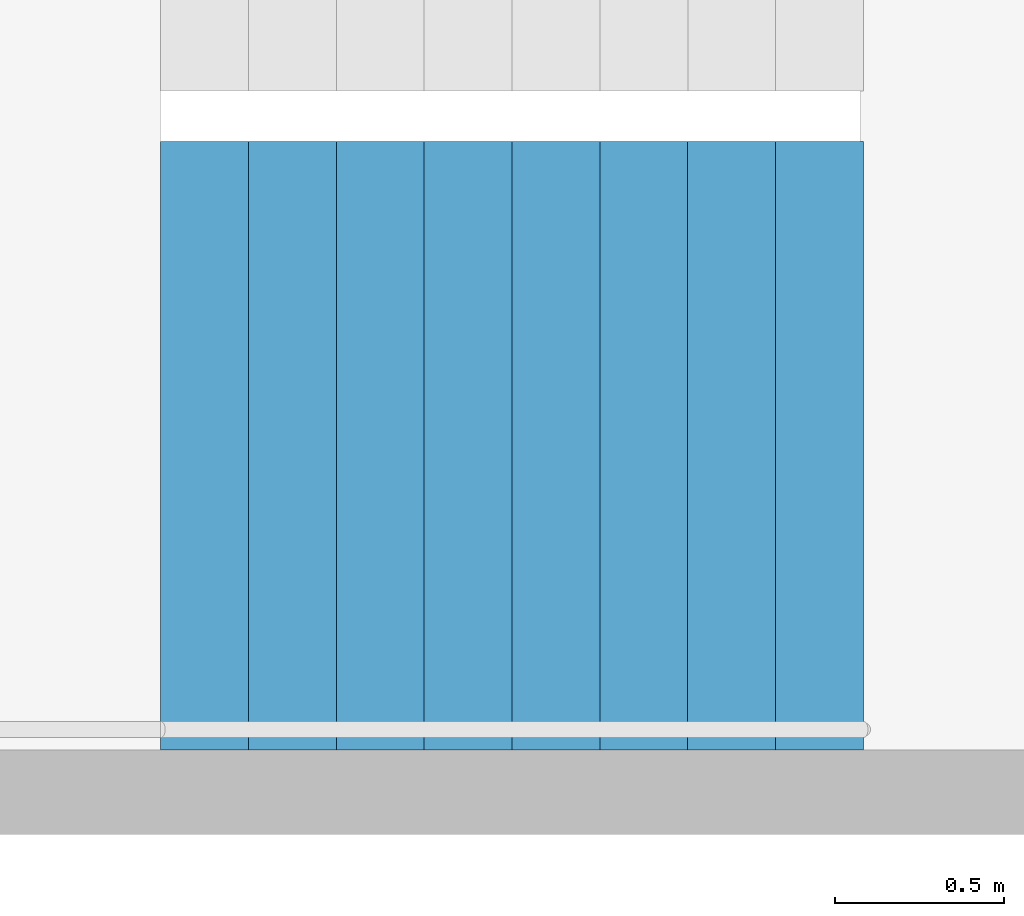
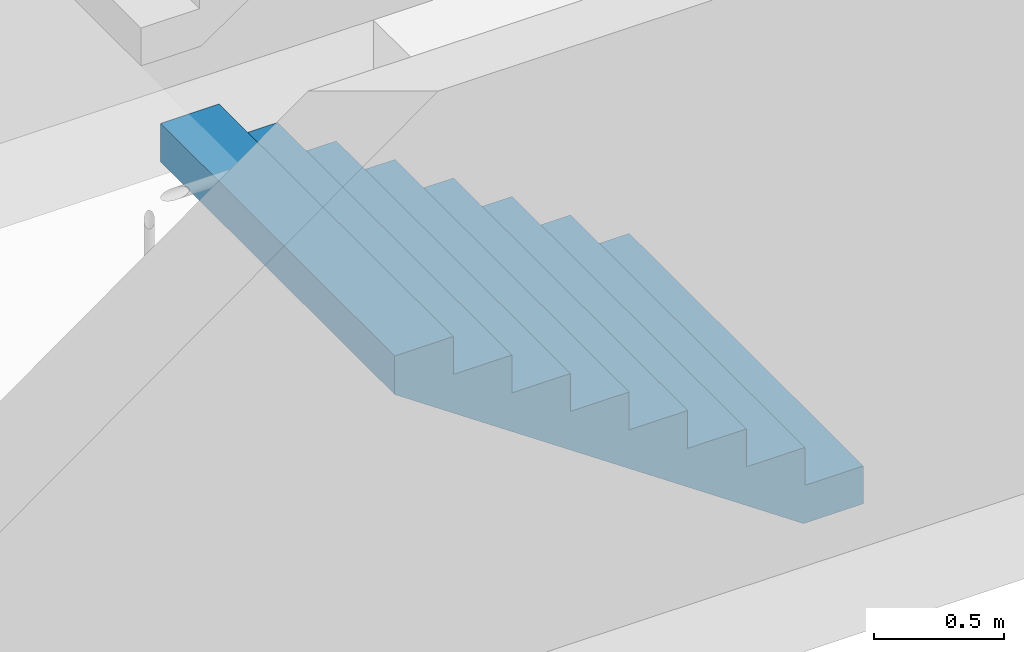
# One storey, part 27 of 29: 1 stair flight, 1 element without a shape of its own.
"""IFC4 building model written with IfcOpenShell, lengths in metres."""

from ifc_helpers import new_model, si_unit, direction, frame, origin, place, context, subcontext, project, spatial, triangles, material, type_object, element, aggregate, save


model = new_model("IFC4")

# Units and contexts
model_context = context("Model", 3, precision=1e-05, world=origin(), true_north=direction((0.0, 1.0)))
body_context = subcontext(model_context, "Body", "Model", "MODEL_VIEW")
ifc_project = project(units=[si_unit("LENGTHUNIT", "METRE"), si_unit("AREAUNIT", "SQUARE_METRE"), si_unit("VOLUMEUNIT", "CUBIC_METRE"), si_unit("PLANEANGLEUNIT", "RADIAN"), si_unit("MASSUNIT", "GRAM", prefix="KILO")], contexts=[model_context])

# Site, building, storey
site_placement = place(None, origin())
site = spatial("IfcSite", under=ifc_project, at=site_placement, CompositionType="ELEMENT")
building_placement = place(site_placement, origin())
building = spatial("IfcBuilding", under=site, at=building_placement, Name="Hakoniwa Tower and Hamabe Station Hall", CompositionType="ELEMENT")
storey_placement = place(building_placement, frame((0.0, 0.0, 88.199951171875)))
storey = spatial("IfcBuildingStorey", under=building, at=storey_placement, Name="L24", CompositionType="ELEMENT", Elevation=88.199951171875)

# Stair, stair flight
ifc_material_1 = material(Name="Concrete C40", Category="concrete")
stair_type = type_object("IfcStairType", Name="ESCAPE STAIR 1800", PredefinedType="HALF_TURN_STAIR", material=ifc_material_1)
stair_placement = place(storey_placement, origin())
stair = element("IfcStair", 1, at=stair_placement, inside=storey, type_object=stair_type, Name="Escape stair ST-3 L24", PredefinedType="HALF_TURN_STAIR")
ifc_material_2 = material(Name="Concrete C40", Category="concrete")
stair_flight_type = type_object("IfcStairFlightType", Name="STAIR FLIGHT 1800", PredefinedType="STRAIGHT", material=ifc_material_2)
stair_flight_placement = place(storey_placement, frame((24.39990234375, 4.64990234375, 0.0), z_axis=(0.0, 0.0, 1.0), x_axis=(-1.0, 0.0, 0.0)))
stair_flight = element("IfcStairFlight", 2, at=stair_flight_placement, type_object=stair_flight_type, Name="ST-3 flight 1", NumberOfRisers=9, NumberOfTreads=8, PredefinedType="STRAIGHT", RiserHeight=0.177777778, TreadLength=0.26, context=body_context, shape_type="Tessellation", body=[
    triangles([(0.0, 0.89990234375, 0.0), (0.260009765625, 0.89990234375, 0.0), (0.265625, 0.89990234375, 0.0), (0.52001953125, 0.89990234375, 0.174072265625), (0.780029296875, 0.89990234375, 0.351806640625), (1.0400390625, 0.89990234375, 0.529541015625), (1.300048828125, 0.89990234375, 0.707275390625), (1.56005859375, 0.89990234375, 0.885009765625), (1.820068359375, 0.89990234375, 1.062744140625), (2.080078125, 0.89990234375, 1.24072265625), (2.080078125, 0.89990234375, 1.422119140625), (1.820068359375, 0.89990234375, 1.422119140625), (1.820068359375, 0.89990234375, 1.244384765625), (1.56005859375, 0.89990234375, 1.244384765625), (1.56005859375, 0.89990234375, 1.066650390625), (1.300048828125, 0.89990234375, 1.066650390625), (1.300048828125, 0.89990234375, 0.888916015625), (1.0400390625, 0.89990234375, 0.888916015625), (1.0400390625, 0.89990234375, 0.711181640625), (0.780029296875, 0.89990234375, 0.711181640625), (0.780029296875, 0.89990234375, 0.533447265625), (0.52001953125, 0.89990234375, 0.533447265625), (0.52001953125, 0.89990234375, 0.35546875), (0.265625, 0.89990234375, 0.35546875), (0.260009765625, 0.89990234375, 0.35546875), (0.260009765625, 0.89990234375, 0.177734375), (0.0, 0.89990234375, 0.177734375), (0.0, 0.06005859375, 0.0), (0.260009765625, 0.06005859375, 0.0), (0.265625, 0.06005859375, 0.0), (0.52001953125, 0.06005859375, 0.174072265625), (0.780029296875, 0.06005859375, 0.351806640625), (1.0400390625, 0.06005859375, 0.529541015625), (1.300048828125, 0.06005859375, 0.707275390625), (1.56005859375, 0.06005859375, 0.885009765625), (1.820068359375, 0.06005859375, 1.062744140625), (2.080078125, 0.06005859375, 1.24072265625), (2.080078125, 0.06005859375, 1.422119140625), (1.820068359375, 0.06005859375, 1.422119140625), (1.820068359375, 0.06005859375, 1.244384765625), (1.56005859375, 0.06005859375, 1.244384765625), (1.56005859375, 0.06005859375, 1.066650390625), (1.300048828125, 0.06005859375, 1.066650390625), (1.300048828125, 0.06005859375, 0.888916015625), (1.0400390625, 0.06005859375, 0.888916015625), (1.0400390625, 0.06005859375, 0.711181640625), (0.780029296875, 0.06005859375, 0.711181640625), (0.780029296875, 0.06005859375, 0.533447265625), (0.52001953125, 0.06005859375, 0.533447265625), (0.52001953125, 0.06005859375, 0.35546875), (0.265625, 0.06005859375, 0.35546875), (0.260009765625, 0.06005859375, 0.35546875), (0.260009765625, 0.06005859375, 0.177734375), (0.0, 0.06005859375, 0.177734375), (0.0, 0.04296875, 0.0), (0.260009765625, 0.04296875, 0.0), (0.265625, 0.04296875, 0.0), (0.52001953125, 0.04296875, 0.174072265625), (0.780029296875, 0.04296875, 0.351806640625), (1.0400390625, 0.04296875, 0.529541015625), (1.300048828125, 0.04296875, 0.707275390625), (1.56005859375, 0.04296875, 0.885009765625), (1.820068359375, 0.04296875, 1.062744140625), (2.080078125, 0.04296875, 1.24072265625), (2.080078125, 0.04296875, 1.422119140625), (1.820068359375, 0.04296875, 1.422119140625), (1.820068359375, 0.04296875, 1.244384765625), (1.56005859375, 0.04296875, 1.244384765625), (1.56005859375, 0.04296875, 1.066650390625), (1.300048828125, 0.04296875, 1.066650390625), (1.300048828125, 0.04296875, 0.888916015625), (1.0400390625, 0.04296875, 0.888916015625), (1.0400390625, 0.04296875, 0.711181640625), (0.780029296875, 0.04296875, 0.711181640625), (0.780029296875, 0.04296875, 0.533447265625), (0.52001953125, 0.04296875, 0.533447265625), (0.52001953125, 0.04296875, 0.35546875), (0.265625, 0.04296875, 0.35546875), (0.260009765625, 0.04296875, 0.35546875), (0.260009765625, 0.04296875, 0.177734375), (0.0, 0.04296875, 0.177734375), (0.0, 0.025634765625, 0.0), (0.260009765625, 0.025634765625, 0.0), (0.265625, 0.025634765625, 0.0), (0.52001953125, 0.025634765625, 0.174072265625), (0.780029296875, 0.025634765625, 0.351806640625), (1.0400390625, 0.025634765625, 0.529541015625), (1.300048828125, 0.025634765625, 0.707275390625), (1.56005859375, 0.025634765625, 0.885009765625), (1.820068359375, 0.025634765625, 1.062744140625), (2.080078125, 0.025634765625, 1.24072265625), (2.080078125, 0.025634765625, 1.422119140625), (1.820068359375, 0.025634765625, 1.422119140625), (1.820068359375, 0.025634765625, 1.244384765625), (1.56005859375, 0.025634765625, 1.244384765625), (1.56005859375, 0.025634765625, 1.066650390625), (1.300048828125, 0.025634765625, 1.066650390625), (1.300048828125, 0.025634765625, 0.888916015625), (1.0400390625, 0.025634765625, 0.888916015625), (1.0400390625, 0.025634765625, 0.711181640625), (0.780029296875, 0.025634765625, 0.711181640625), (0.780029296875, 0.025634765625, 0.533447265625), (0.52001953125, 0.025634765625, 0.533447265625), (0.52001953125, 0.025634765625, 0.35546875), (0.265625, 0.025634765625, 0.35546875), (0.260009765625, 0.025634765625, 0.35546875), (0.260009765625, 0.025634765625, 0.177734375), (0.0, 0.025634765625, 0.177734375), (0.0, 0.008544921875, 0.0), (0.260009765625, 0.008544921875, 0.0), (0.265625, 0.008544921875, 0.0), (0.52001953125, 0.008544921875, 0.174072265625), (0.780029296875, 0.008544921875, 0.351806640625), (1.0400390625, 0.008544921875, 0.529541015625), (1.300048828125, 0.008544921875, 0.707275390625), (1.56005859375, 0.008544921875, 0.885009765625), (1.820068359375, 0.008544921875, 1.062744140625), (2.080078125, 0.008544921875, 1.24072265625), (2.080078125, 0.008544921875, 1.422119140625), (1.820068359375, 0.008544921875, 1.422119140625), (1.820068359375, 0.008544921875, 1.244384765625), (1.56005859375, 0.008544921875, 1.244384765625), (1.56005859375, 0.008544921875, 1.066650390625), (1.300048828125, 0.008544921875, 1.066650390625), (1.300048828125, 0.008544921875, 0.888916015625), (1.0400390625, 0.008544921875, 0.888916015625), (1.0400390625, 0.008544921875, 0.711181640625), (0.780029296875, 0.008544921875, 0.711181640625), (0.780029296875, 0.008544921875, 0.533447265625), (0.52001953125, 0.008544921875, 0.533447265625), (0.52001953125, 0.008544921875, 0.35546875), (0.265625, 0.008544921875, 0.35546875), (0.260009765625, 0.008544921875, 0.35546875), (0.260009765625, 0.008544921875, 0.177734375), (0.0, 0.008544921875, 0.177734375), (0.0, -0.008544921875, 0.0), (0.260009765625, -0.008544921875, 0.0), (0.265625, -0.008544921875, 0.0), (0.52001953125, -0.008544921875, 0.174072265625), (0.780029296875, -0.008544921875, 0.351806640625), (1.0400390625, -0.008544921875, 0.529541015625), (1.300048828125, -0.008544921875, 0.707275390625), (1.56005859375, -0.008544921875, 0.885009765625), (1.820068359375, -0.008544921875, 1.062744140625), (2.080078125, -0.008544921875, 1.24072265625), (2.080078125, -0.008544921875, 1.422119140625), (1.820068359375, -0.008544921875, 1.422119140625), (1.820068359375, -0.008544921875, 1.244384765625), (1.56005859375, -0.008544921875, 1.244384765625), (1.56005859375, -0.008544921875, 1.066650390625), (1.300048828125, -0.008544921875, 1.066650390625), (1.300048828125, -0.008544921875, 0.888916015625), (1.0400390625, -0.008544921875, 0.888916015625), (1.0400390625, -0.008544921875, 0.711181640625), (0.780029296875, -0.008544921875, 0.711181640625), (0.780029296875, -0.008544921875, 0.533447265625), (0.52001953125, -0.008544921875, 0.533447265625), (0.52001953125, -0.008544921875, 0.35546875), (0.265625, -0.008544921875, 0.35546875), (0.260009765625, -0.008544921875, 0.35546875), (0.260009765625, -0.008544921875, 0.177734375), (0.0, -0.008544921875, 0.177734375), (0.0, -0.025634765625, 0.0), (0.260009765625, -0.025634765625, 0.0), (0.265625, -0.025634765625, 0.0), (0.52001953125, -0.025634765625, 0.174072265625), (0.780029296875, -0.025634765625, 0.351806640625), (1.0400390625, -0.025634765625, 0.529541015625), (1.300048828125, -0.025634765625, 0.707275390625), (1.56005859375, -0.025634765625, 0.885009765625), (1.820068359375, -0.025634765625, 1.062744140625), (2.080078125, -0.025634765625, 1.24072265625), (2.080078125, -0.025634765625, 1.422119140625), (1.820068359375, -0.025634765625, 1.422119140625), (1.820068359375, -0.025634765625, 1.244384765625), (1.56005859375, -0.025634765625, 1.244384765625), (1.56005859375, -0.025634765625, 1.066650390625), (1.300048828125, -0.025634765625, 1.066650390625), (1.300048828125, -0.025634765625, 0.888916015625), (1.0400390625, -0.025634765625, 0.888916015625), (1.0400390625, -0.025634765625, 0.711181640625), (0.780029296875, -0.025634765625, 0.711181640625), (0.780029296875, -0.025634765625, 0.533447265625), (0.52001953125, -0.025634765625, 0.533447265625), (0.52001953125, -0.025634765625, 0.35546875), (0.265625, -0.025634765625, 0.35546875), (0.260009765625, -0.025634765625, 0.35546875), (0.260009765625, -0.025634765625, 0.177734375), (0.0, -0.025634765625, 0.177734375), (0.0, -0.04296875, 0.0), (0.260009765625, -0.04296875, 0.0), (0.265625, -0.04296875, 0.0), (0.52001953125, -0.04296875, 0.174072265625), (0.780029296875, -0.04296875, 0.351806640625), (1.0400390625, -0.04296875, 0.529541015625), (1.300048828125, -0.04296875, 0.707275390625), (1.56005859375, -0.04296875, 0.885009765625), (1.820068359375, -0.04296875, 1.062744140625), (2.080078125, -0.04296875, 1.24072265625), (2.080078125, -0.04296875, 1.422119140625), (1.820068359375, -0.04296875, 1.422119140625), (1.820068359375, -0.04296875, 1.244384765625), (1.56005859375, -0.04296875, 1.244384765625), (1.56005859375, -0.04296875, 1.066650390625), (1.300048828125, -0.04296875, 1.066650390625), (1.300048828125, -0.04296875, 0.888916015625), (1.0400390625, -0.04296875, 0.888916015625), (1.0400390625, -0.04296875, 0.711181640625), (0.780029296875, -0.04296875, 0.711181640625), (0.780029296875, -0.04296875, 0.533447265625), (0.52001953125, -0.04296875, 0.533447265625), (0.52001953125, -0.04296875, 0.35546875), (0.265625, -0.04296875, 0.35546875), (0.260009765625, -0.04296875, 0.35546875), (0.260009765625, -0.04296875, 0.177734375), (0.0, -0.04296875, 0.177734375), (0.0, -0.06005859375, 0.0), (0.260009765625, -0.06005859375, 0.0), (0.265625, -0.06005859375, 0.0), (0.52001953125, -0.06005859375, 0.174072265625), (0.780029296875, -0.06005859375, 0.351806640625), (1.0400390625, -0.06005859375, 0.529541015625), (1.300048828125, -0.06005859375, 0.707275390625), (1.56005859375, -0.06005859375, 0.885009765625), (1.820068359375, -0.06005859375, 1.062744140625), (2.080078125, -0.06005859375, 1.24072265625), (2.080078125, -0.06005859375, 1.422119140625), (1.820068359375, -0.06005859375, 1.422119140625), (1.820068359375, -0.06005859375, 1.244384765625), (1.56005859375, -0.06005859375, 1.244384765625), (1.56005859375, -0.06005859375, 1.066650390625), (1.300048828125, -0.06005859375, 1.066650390625), (1.300048828125, -0.06005859375, 0.888916015625), (1.0400390625, -0.06005859375, 0.888916015625), (1.0400390625, -0.06005859375, 0.711181640625), (0.780029296875, -0.06005859375, 0.711181640625), (0.780029296875, -0.06005859375, 0.533447265625), (0.52001953125, -0.06005859375, 0.533447265625), (0.52001953125, -0.06005859375, 0.35546875), (0.265625, -0.06005859375, 0.35546875), (0.260009765625, -0.06005859375, 0.35546875), (0.260009765625, -0.06005859375, 0.177734375), (0.0, -0.06005859375, 0.177734375), (0.0, -0.89990234375, 0.0), (0.260009765625, -0.89990234375, 0.0), (0.265625, -0.89990234375, 0.0), (0.52001953125, -0.89990234375, 0.174072265625), (0.780029296875, -0.89990234375, 0.351806640625), (1.0400390625, -0.89990234375, 0.529541015625), (1.300048828125, -0.89990234375, 0.707275390625), (1.56005859375, -0.89990234375, 0.885009765625), (1.820068359375, -0.89990234375, 1.062744140625), (2.080078125, -0.89990234375, 1.24072265625), (2.080078125, -0.89990234375, 1.422119140625), (1.820068359375, -0.89990234375, 1.422119140625), (1.820068359375, -0.89990234375, 1.244384765625), (1.56005859375, -0.89990234375, 1.244384765625), (1.56005859375, -0.89990234375, 1.066650390625), (1.300048828125, -0.89990234375, 1.066650390625), (1.300048828125, -0.89990234375, 0.888916015625), (1.0400390625, -0.89990234375, 0.888916015625), (1.0400390625, -0.89990234375, 0.711181640625), (0.780029296875, -0.89990234375, 0.711181640625), (0.780029296875, -0.89990234375, 0.533447265625), (0.52001953125, -0.89990234375, 0.533447265625), (0.52001953125, -0.89990234375, 0.35546875), (0.265625, -0.89990234375, 0.35546875), (0.260009765625, -0.89990234375, 0.35546875), (0.260009765625, -0.89990234375, 0.177734375), (0.0, -0.89990234375, 0.177734375)], [[2, 27, 26], [245, 269, 270], [2, 1, 27], [245, 270, 244], [3, 25, 24], [246, 267, 268], [3, 26, 25], [246, 268, 269], [3, 2, 26], [246, 269, 245], [4, 24, 23], [247, 266, 267], [4, 3, 24], [247, 267, 246], [5, 22, 21], [248, 264, 265], [5, 23, 22], [248, 265, 266], [5, 4, 23], [248, 266, 247], [6, 20, 19], [249, 262, 263], [6, 21, 20], [249, 263, 264], [6, 5, 21], [249, 264, 248], [7, 18, 17], [250, 260, 261], [7, 19, 18], [250, 261, 262], [7, 6, 19], [250, 262, 249], [8, 16, 15], [251, 258, 259], [8, 17, 16], [251, 259, 260], [8, 7, 17], [251, 260, 250], [9, 14, 13], [252, 256, 257], [9, 15, 14], [252, 257, 258], [9, 8, 15], [252, 258, 251], [10, 12, 11], [253, 254, 255], [10, 13, 12], [253, 255, 256], [10, 9, 13], [253, 256, 252], [1, 2, 29], [1, 29, 28], [28, 29, 56], [28, 56, 55], [55, 56, 83], [55, 83, 82], [82, 83, 110], [82, 110, 109], [109, 110, 137], [109, 137, 136], [136, 137, 164], [136, 164, 163], [163, 164, 191], [163, 191, 190], [190, 191, 218], [190, 218, 217], [217, 218, 245], [217, 245, 244], [2, 3, 30], [2, 30, 29], [29, 30, 57], [29, 57, 56], [56, 57, 84], [56, 84, 83], [83, 84, 111], [83, 111, 110], [110, 111, 138], [110, 138, 137], [137, 138, 165], [137, 165, 164], [164, 165, 192], [164, 192, 191], [191, 192, 219], [191, 219, 218], [218, 219, 246], [218, 246, 245], [3, 4, 31], [3, 31, 30], [30, 31, 58], [30, 58, 57], [57, 58, 85], [57, 85, 84], [84, 85, 112], [84, 112, 111], [111, 112, 139], [111, 139, 138], [138, 139, 166], [138, 166, 165], [165, 166, 193], [165, 193, 192], [192, 193, 220], [192, 220, 219], [219, 220, 247], [219, 247, 246], [4, 5, 32], [4, 32, 31], [31, 32, 59], [31, 59, 58], [58, 59, 86], [58, 86, 85], [85, 86, 113], [85, 113, 112], [112, 113, 140], [112, 140, 139], [139, 140, 167], [139, 167, 166], [166, 167, 194], [166, 194, 193], [193, 194, 221], [193, 221, 220], [220, 221, 248], [220, 248, 247], [5, 6, 33], [5, 33, 32], [32, 33, 60], [32, 60, 59], [59, 60, 87], [59, 87, 86], [86, 87, 114], [86, 114, 113], [113, 114, 141], [113, 141, 140], [140, 141, 168], [140, 168, 167], [167, 168, 195], [167, 195, 194], [194, 195, 222], [194, 222, 221], [221, 222, 249], [221, 249, 248], [6, 7, 34], [6, 34, 33], [33, 34, 61], [33, 61, 60], [60, 61, 88], [60, 88, 87], [87, 88, 115], [87, 115, 114], [114, 115, 142], [114, 142, 141], [141, 142, 169], [141, 169, 168], [168, 169, 196], [168, 196, 195], [195, 196, 223], [195, 223, 222], [222, 223, 250], [222, 250, 249], [7, 8, 35], [7, 35, 34], [34, 35, 62], [34, 62, 61], [61, 62, 89], [61, 89, 88], [88, 89, 116], [88, 116, 115], [115, 116, 143], [115, 143, 142], [142, 143, 170], [142, 170, 169], [169, 170, 197], [169, 197, 196], [196, 197, 224], [196, 224, 223], [223, 224, 251], [223, 251, 250], [8, 9, 36], [8, 36, 35], [35, 36, 63], [35, 63, 62], [62, 63, 90], [62, 90, 89], [89, 90, 117], [89, 117, 116], [116, 117, 144], [116, 144, 143], [143, 144, 171], [143, 171, 170], [170, 171, 198], [170, 198, 197], [197, 198, 225], [197, 225, 224], [224, 225, 252], [224, 252, 251], [9, 10, 37], [9, 37, 36], [36, 37, 64], [36, 64, 63], [63, 64, 91], [63, 91, 90], [90, 91, 118], [90, 118, 117], [117, 118, 145], [117, 145, 144], [144, 145, 172], [144, 172, 171], [171, 172, 199], [171, 199, 198], [198, 199, 226], [198, 226, 225], [225, 226, 253], [225, 253, 252], [10, 11, 38], [10, 38, 37], [37, 38, 65], [37, 65, 64], [64, 65, 92], [64, 92, 91], [91, 92, 119], [91, 119, 118], [118, 119, 146], [118, 146, 145], [145, 146, 173], [145, 173, 172], [172, 173, 200], [172, 200, 199], [199, 200, 227], [199, 227, 226], [226, 227, 254], [226, 254, 253], [11, 12, 39], [11, 39, 38], [38, 39, 66], [38, 66, 65], [65, 66, 93], [65, 93, 92], [92, 93, 120], [92, 120, 119], [119, 120, 147], [119, 147, 146], [146, 147, 174], [146, 174, 173], [173, 174, 201], [173, 201, 200], [200, 201, 228], [200, 228, 227], [227, 228, 255], [227, 255, 254], [12, 13, 40], [12, 40, 39], [39, 40, 67], [39, 67, 66], [66, 67, 94], [66, 94, 93], [93, 94, 121], [93, 121, 120], [120, 121, 148], [120, 148, 147], [147, 148, 175], [147, 175, 174], [174, 175, 202], [174, 202, 201], [201, 202, 229], [201, 229, 228], [228, 229, 256], [228, 256, 255], [13, 14, 41], [13, 41, 40], [40, 41, 68], [40, 68, 67], [67, 68, 95], [67, 95, 94], [94, 95, 122], [94, 122, 121], [121, 122, 149], [121, 149, 148], [148, 149, 176], [148, 176, 175], [175, 176, 203], [175, 203, 202], [202, 203, 230], [202, 230, 229], [229, 230, 257], [229, 257, 256], [14, 15, 42], [14, 42, 41], [41, 42, 69], [41, 69, 68], [68, 69, 96], [68, 96, 95], [95, 96, 123], [95, 123, 122], [122, 123, 150], [122, 150, 149], [149, 150, 177], [149, 177, 176], [176, 177, 204], [176, 204, 203], [203, 204, 231], [203, 231, 230], [230, 231, 258], [230, 258, 257], [15, 16, 43], [15, 43, 42], [42, 43, 70], [42, 70, 69], [69, 70, 97], [69, 97, 96], [96, 97, 124], [96, 124, 123], [123, 124, 151], [123, 151, 150], [150, 151, 178], [150, 178, 177], [177, 178, 205], [177, 205, 204], [204, 205, 232], [204, 232, 231], [231, 232, 259], [231, 259, 258], [16, 17, 44], [16, 44, 43], [43, 44, 71], [43, 71, 70], [70, 71, 98], [70, 98, 97], [97, 98, 125], [97, 125, 124], [124, 125, 152], [124, 152, 151], [151, 152, 179], [151, 179, 178], [178, 179, 206], [178, 206, 205], [205, 206, 233], [205, 233, 232], [232, 233, 260], [232, 260, 259], [17, 18, 45], [17, 45, 44], [44, 45, 72], [44, 72, 71], [71, 72, 99], [71, 99, 98], [98, 99, 126], [98, 126, 125], [125, 126, 153], [125, 153, 152], [152, 153, 180], [152, 180, 179], [179, 180, 207], [179, 207, 206], [206, 207, 234], [206, 234, 233], [233, 234, 261], [233, 261, 260], [18, 19, 46], [18, 46, 45], [45, 46, 73], [45, 73, 72], [72, 73, 100], [72, 100, 99], [99, 100, 127], [99, 127, 126], [126, 127, 154], [126, 154, 153], [153, 154, 181], [153, 181, 180], [180, 181, 208], [180, 208, 207], [207, 208, 235], [207, 235, 234], [234, 235, 262], [234, 262, 261], [19, 20, 47], [19, 47, 46], [46, 47, 74], [46, 74, 73], [73, 74, 101], [73, 101, 100], [100, 101, 128], [100, 128, 127], [127, 128, 155], [127, 155, 154], [154, 155, 182], [154, 182, 181], [181, 182, 209], [181, 209, 208], [208, 209, 236], [208, 236, 235], [235, 236, 263], [235, 263, 262], [20, 21, 48], [20, 48, 47], [47, 48, 75], [47, 75, 74], [74, 75, 102], [74, 102, 101], [101, 102, 129], [101, 129, 128], [128, 129, 156], [128, 156, 155], [155, 156, 183], [155, 183, 182], [182, 183, 210], [182, 210, 209], [209, 210, 237], [209, 237, 236], [236, 237, 264], [236, 264, 263], [21, 22, 49], [21, 49, 48], [48, 49, 76], [48, 76, 75], [75, 76, 103], [75, 103, 102], [102, 103, 130], [102, 130, 129], [129, 130, 157], [129, 157, 156], [156, 157, 184], [156, 184, 183], [183, 184, 211], [183, 211, 210], [210, 211, 238], [210, 238, 237], [237, 238, 265], [237, 265, 264], [22, 23, 50], [22, 50, 49], [49, 50, 77], [49, 77, 76], [76, 77, 104], [76, 104, 103], [103, 104, 131], [103, 131, 130], [130, 131, 158], [130, 158, 157], [157, 158, 185], [157, 185, 184], [184, 185, 212], [184, 212, 211], [211, 212, 239], [211, 239, 238], [238, 239, 266], [238, 266, 265], [23, 24, 51], [23, 51, 50], [50, 51, 78], [50, 78, 77], [77, 78, 105], [77, 105, 104], [104, 105, 132], [104, 132, 131], [131, 132, 159], [131, 159, 158], [158, 159, 186], [158, 186, 185], [185, 186, 213], [185, 213, 212], [212, 213, 240], [212, 240, 239], [239, 240, 267], [239, 267, 266], [24, 25, 52], [24, 52, 51], [51, 52, 79], [51, 79, 78], [78, 79, 106], [78, 106, 105], [105, 106, 133], [105, 133, 132], [132, 133, 160], [132, 160, 159], [159, 160, 187], [159, 187, 186], [186, 187, 214], [186, 214, 213], [213, 214, 241], [213, 241, 240], [240, 241, 268], [240, 268, 267], [25, 26, 53], [25, 53, 52], [52, 53, 80], [52, 80, 79], [79, 80, 107], [79, 107, 106], [106, 107, 134], [106, 134, 133], [133, 134, 161], [133, 161, 160], [160, 161, 188], [160, 188, 187], [187, 188, 215], [187, 215, 214], [214, 215, 242], [214, 242, 241], [241, 242, 269], [241, 269, 268], [26, 27, 54], [26, 54, 53], [53, 54, 81], [53, 81, 80], [80, 81, 108], [80, 108, 107], [107, 108, 135], [107, 135, 134], [134, 135, 162], [134, 162, 161], [161, 162, 189], [161, 189, 188], [188, 189, 216], [188, 216, 215], [215, 216, 243], [215, 243, 242], [242, 243, 270], [242, 270, 269], [27, 1, 28], [27, 28, 54], [54, 28, 55], [54, 55, 81], [81, 55, 82], [81, 82, 108], [108, 82, 109], [108, 109, 135], [135, 109, 136], [135, 136, 162], [162, 136, 163], [162, 163, 189], [189, 163, 190], [189, 190, 216], [216, 190, 217], [216, 217, 243], [243, 217, 244], [243, 244, 270]], closed=True),
])
aggregate(stair, [stair_flight])

save(model, "model.ifc")
